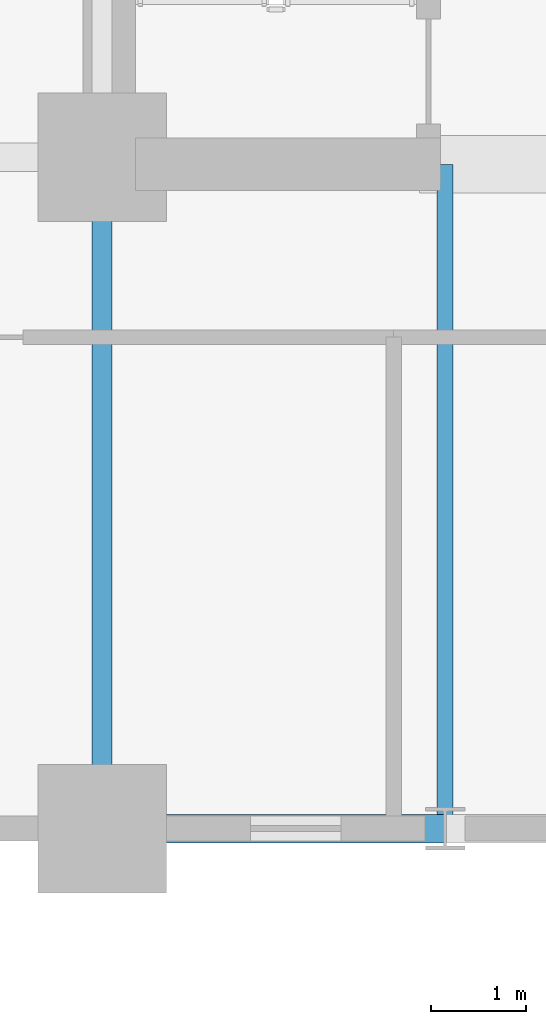
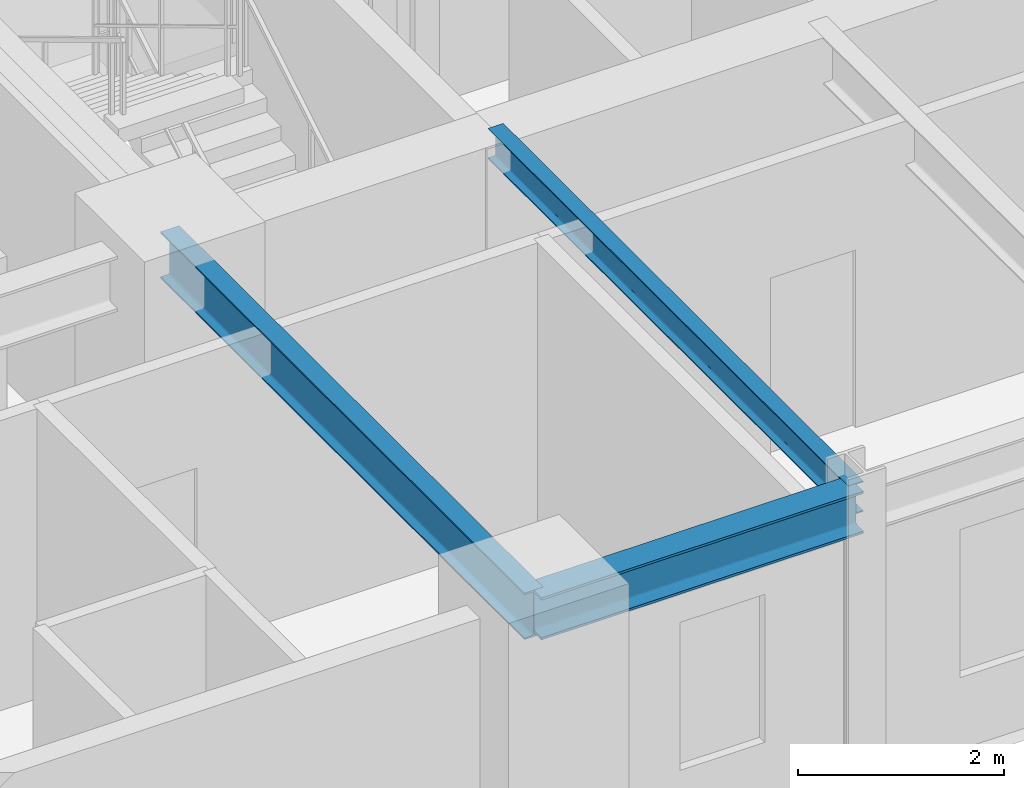
# One storey, part 3 of 17: 3 beams.
"""IFC4 building model written with IfcOpenShell, lengths in metres."""

from ifc_helpers import new_model, si_unit, direction, frame, origin, origin_2d, place, context, subcontext, project, spatial, i_section, extrude, source, transform, mapped, material, material_profile, profile_set, type_object, element, save


model = new_model("IFC4")

# Units and contexts
model_context = context("Model", 3, precision=1e-05, world=origin(), true_north=direction((0.0, 1.0)))
body_context = subcontext(model_context, "Body", "Model", "MODEL_VIEW")
ifc_project = project(units=[si_unit("LENGTHUNIT", "METRE"), si_unit("AREAUNIT", "SQUARE_METRE"), si_unit("VOLUMEUNIT", "CUBIC_METRE"), si_unit("PLANEANGLEUNIT", "RADIAN"), si_unit("MASSUNIT", "GRAM", prefix="KILO")], contexts=[model_context])

# Site, building, storey
site_placement = place(None, origin())
site = spatial("IfcSite", under=ifc_project, at=site_placement, CompositionType="ELEMENT")
building_placement = place(site_placement, origin())
building = spatial("IfcBuilding", under=site, at=building_placement, Name="Kaliganga Portal Commons", CompositionType="ELEMENT")
storey_placement = place(building_placement, frame((0.0, 0.0, 62.300048828125)))
storey = spatial("IfcBuildingStorey", under=building, at=storey_placement, Name="L15", CompositionType="ELEMENT", Elevation=62.300048828125)

# Beams
ifc_material = material(Name="Structural steel S355J2", Category="steel")
ifc_material_profile_1 = material_profile(ifc_material, i_section(OverallWidth=0.300048828125, OverallDepth=0.5, WebThickness=0.014404296875, FlangeThickness=0.028076171875, FilletRadius=0.027099609375, at=origin_2d()), Name="HE 500 B")
ifc_profile_set_1 = profile_set([ifc_material_profile_1], Name="Structural steel S355J2 wide-flange")
beam_type_1 = type_object("IfcBeamType", Name="BM-SPAND-500", PredefinedType="SPANDREL", material=ifc_profile_set_1)
shared_shape_1 = source(origin(), body_context, "Body", "SweptSolid", [
    extrude(i_section(OverallWidth=0.300048828125, OverallDepth=0.5, WebThickness=0.014404296875, FlangeThickness=0.028076171875, FilletRadius=0.027099609375, at=origin_2d()), origin(), (0.0, 0.0, 1.0), 3.60009765625),
])
beam_1_placement = place(storey_placement, frame((14.39990234375, 21.60009765625, 3.199951171875), z_axis=(1.0, 0.0, 0.0), x_axis=(0.0, 1.0, 0.0)))
element("IfcBeam", 1, at=beam_1_placement, inside=storey, type_object=beam_type_1, Name="BM SP L15 AS 1", PredefinedType="SPANDREL", context=body_context, shape_type="MappedRepresentation", body=[
    mapped(shared_shape_1, transform((0.0, 0.0, 0.0), x_axis=(1.0, 0.0, 0.0), y_axis=(0.0, 1.0, 0.0), z_axis=(0.0, 0.0, 1.0), scale=1.0)),
])
ifc_material_profile_2 = material_profile(ifc_material, i_section(OverallWidth=0.2099609375, OverallDepth=0.550048828125, WebThickness=0.010986328125, FlangeThickness=0.01708984375, FilletRadius=0.02392578125, at=origin_2d()), Name="IPE 550")
ifc_profile_set_2 = profile_set([ifc_material_profile_2], Name="Structural steel S355J2 wide-flange")
beam_type_2 = type_object("IfcBeamType", Name="BM-FLR-550", PredefinedType="BEAM", material=ifc_profile_set_2)
shared_shape_2 = source(origin(), body_context, "Body", "SweptSolid", [
    extrude(i_section(OverallWidth=0.2099609375, OverallDepth=0.550048828125, WebThickness=0.010986328125, FlangeThickness=0.01708984375, FilletRadius=0.02392578125, at=origin_2d()), origin(), (0.0, 0.0, 1.0), 7.0498046875),
])
beam_2_placement = place(storey_placement, frame((14.39990234375, 21.60009765625, 3.175048828125), z_axis=(0.0, 1.0, 0.0), x_axis=(-1.0, 0.0, 0.0)))
element("IfcBeam", 2, at=beam_2_placement, inside=storey, type_object=beam_type_2, Name="BM G L15 AS144", PredefinedType="BEAM", context=body_context, shape_type="MappedRepresentation", body=[
    mapped(shared_shape_2, transform((0.0, 0.0, 0.0), x_axis=(1.0, 0.0, 0.0), y_axis=(0.0, 1.0, 0.0), z_axis=(0.0, 0.0, 1.0), scale=1.0)),
])
ifc_material_profile_3 = material_profile(ifc_material, i_section(OverallWidth=0.169921875, OverallDepth=0.360107421875, WebThickness=0.008056640625, FlangeThickness=0.0126953125, FilletRadius=0.01806640625, at=origin_2d()), Name="IPE 360")
ifc_profile_set_3 = profile_set([ifc_material_profile_3], Name="Structural steel S355J2 wide-flange")
beam_type_3 = type_object("IfcBeamType", Name="BM-JST-360", PredefinedType="JOIST", material=ifc_profile_set_3)
shared_shape_3 = source(origin(), body_context, "Body", "SweptSolid", [
    extrude(i_section(OverallWidth=0.169921875, OverallDepth=0.360107421875, WebThickness=0.008056640625, FlangeThickness=0.0126953125, FilletRadius=0.01806640625, at=origin_2d()), origin(), (0.0, 0.0, 1.0), 6.974853515625),
])
beam_3_placement = place(storey_placement, frame((18.0, 21.60009765625, 3.27001953125), z_axis=(0.0, 1.0, 0.0), x_axis=(-1.0, 0.0, 0.0)))
element("IfcBeam", 3, at=beam_3_placement, inside=storey, type_object=beam_type_3, Name="BM G L15 AS180", PredefinedType="JOIST", context=body_context, shape_type="MappedRepresentation", body=[
    mapped(shared_shape_3, transform((0.0, 0.0, 0.0), x_axis=(1.0, 0.0, 0.0), y_axis=(0.0, 1.0, 0.0), z_axis=(0.0, 0.0, 1.0), scale=1.0)),
])

save(model, "model.ifc")
